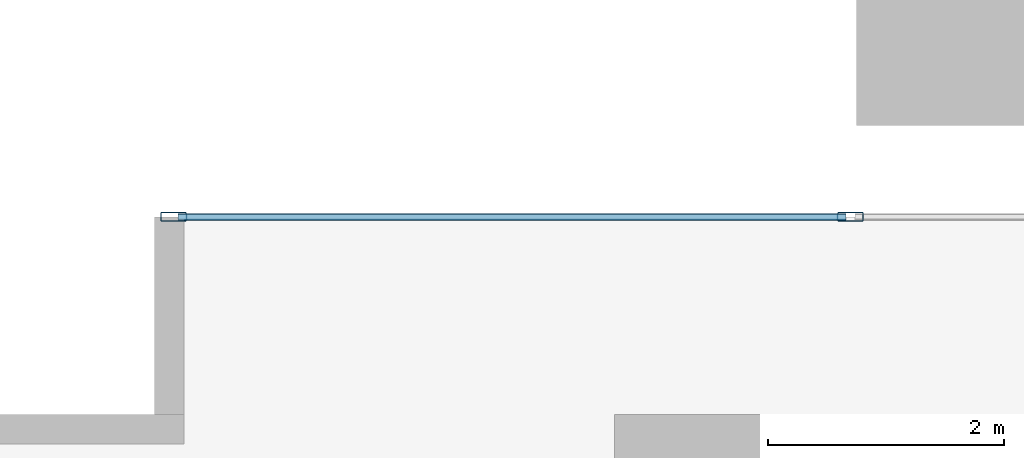
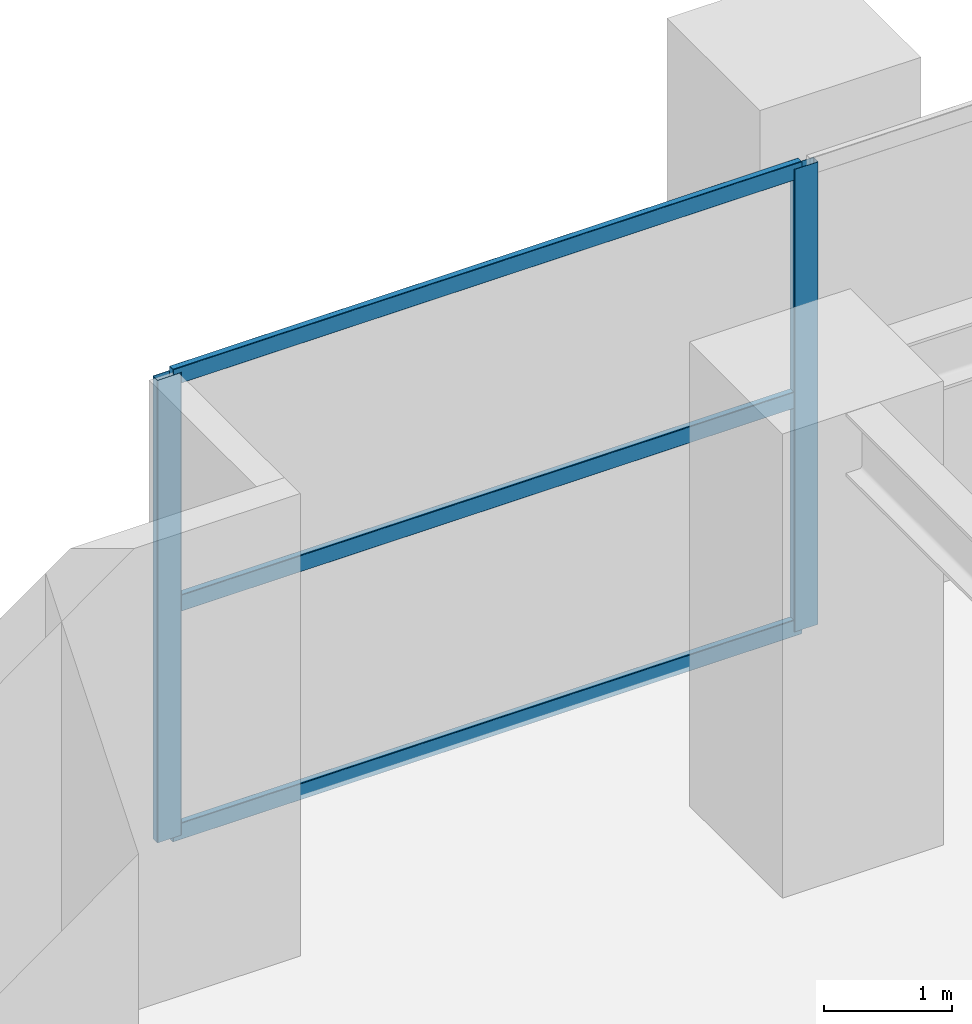
# One storey, part 6 of 20: 5 members, 1 element without a shape of its own.
"""IFC4 building model written with IfcOpenShell, lengths in metres."""

from ifc_helpers import new_model, si_unit, direction, frame, origin, origin_2d, place, context, subcontext, project, spatial, hollow_rectangle, extrude, source, transform, mapped, material, layer, layer_set, material_profile, profile_set, type_object, element, aggregate, save


model = new_model("IFC4")

# Units and contexts
model_context = context("Model", 3, precision=1e-05, world=origin(), true_north=direction((0.0, 1.0)))
body_context = subcontext(model_context, "Body", "Model", "MODEL_VIEW")
ifc_project = project(units=[si_unit("LENGTHUNIT", "METRE"), si_unit("AREAUNIT", "SQUARE_METRE"), si_unit("VOLUMEUNIT", "CUBIC_METRE"), si_unit("PLANEANGLEUNIT", "RADIAN"), si_unit("MASSUNIT", "GRAM", prefix="KILO")], contexts=[model_context])

# Site, building, storey
site_placement = place(None, origin())
site = spatial("IfcSite", under=ifc_project, at=site_placement, CompositionType="ELEMENT")
building_placement = place(site_placement, origin())
building = spatial("IfcBuilding", under=site, at=building_placement, Name="Serunith Strait Residences", CompositionType="ELEMENT")
storey_placement = place(building_placement, frame((0.0, 0.0, 10.5)))
storey = spatial("IfcBuildingStorey", under=building, at=storey_placement, Name="L02", CompositionType="ELEMENT", Elevation=10.5)

# Curtain wall, members
ifc_material = material(Name="Pale-Champagne Anodised Aluminium", Category="aluminium")
ifc_layer = layer(ifc_material, 0.199951171875, Name="Pale-Champagne Anodised Aluminium")
ifc_layer_set = layer_set([ifc_layer], Name="Pale-Champagne Anodised Aluminium")
curtain_wall_type = type_object("IfcCurtainWallType", Name="CW-SYS6", PredefinedType="NOTDEFINED", material=ifc_layer_set)
curtain_wall_placement = place(storey_placement, origin())
curtain_wall = element("IfcCurtainWall", 1, at=curtain_wall_placement, inside=storey, type_object=curtain_wall_type, Name="L02 Podium Galleria Curtain Wall 9B", PredefinedType="NOTDEFINED")
ifc_material_profile_1 = material_profile(ifc_material, hollow_rectangle(XDim=0.06005859375, YDim=0.159912109375, WallThickness=0.00341796875, InnerFilletRadius=0.00537109375, OuterFilletRadius=0.0087890625, at=origin_2d()), Name="ALU 160x60x3.5")
ifc_profile_set_1 = profile_set([ifc_material_profile_1], Name="Pale-Champagne Anodised Aluminium")
member_type_1 = type_object("IfcMemberType", Name="CW-SYS6-TRAN", PredefinedType="USERDEFINED", material=ifc_profile_set_1)
shared_shape_1 = source(origin(), body_context, "Body", "SweptSolid", [
    extrude(hollow_rectangle(XDim=0.06005859375, YDim=0.159912109375, WallThickness=0.00341796875, InnerFilletRadius=0.00537109375, OuterFilletRadius=0.0087890625, at=origin_2d()), origin(), (0.0, 0.0, 1.0), 5.662353515625),
])
member_1_placement = place(storey_placement, frame((13.83740234375, 48.0, 0.030029296875), z_axis=(-1.0, 0.0, 0.0), x_axis=(0.0, -1.0, 0.0)))
member_1 = element("IfcMember", 2, at=member_1_placement, type_object=member_type_1, Name="CW-6 transom 4.1", ObjectType="TRANSOM", PredefinedType="USERDEFINED", context=body_context, shape_type="MappedRepresentation", body=[
    mapped(shared_shape_1, transform((0.0, 0.0, 0.0), scale=1.0)),
])
member_2_placement = place(storey_placement, frame((13.83740234375, 48.0, 2.202392578125), z_axis=(-1.0, 0.0, 0.0), x_axis=(0.0, -1.0, 0.0)))
member_2 = element("IfcMember", 3, at=member_2_placement, type_object=member_type_1, Name="CW-6 transom 4.2", ObjectType="TRANSOM", PredefinedType="USERDEFINED", context=body_context, shape_type="MappedRepresentation", body=[
    mapped(shared_shape_1, transform((0.0, 0.0, 0.0), scale=1.0)),
])
member_3_placement = place(storey_placement, frame((13.83740234375, 48.0, 4.375), z_axis=(-1.0, 0.0, 0.0), x_axis=(0.0, -1.0, 0.0)))
member_3 = element("IfcMember", 4, at=member_3_placement, type_object=member_type_1, Name="CW-6 transom 4.3", ObjectType="TRANSOM", PredefinedType="USERDEFINED", context=body_context, shape_type="MappedRepresentation", body=[
    mapped(shared_shape_1, transform((0.0, 0.0, 0.0), scale=1.0)),
])
ifc_material_profile_2 = material_profile(ifc_material, hollow_rectangle(XDim=0.074951171875, YDim=0.219970703125, WallThickness=0.00390625, InnerFilletRadius=0.006103515625, OuterFilletRadius=0.010009765625, at=origin_2d()), Name="ALU 220x75x4")
ifc_profile_set_2 = profile_set([ifc_material_profile_2], Name="Pale-Champagne Anodised Aluminium")
member_type_2 = type_object("IfcMemberType", Name="CW-SYS6-MULL", PredefinedType="MULLION", material=ifc_profile_set_2)
shared_shape_2 = source(origin(), body_context, "Body", "SweptSolid", [
    extrude(hollow_rectangle(XDim=0.074951171875, YDim=0.219970703125, WallThickness=0.00390625, InnerFilletRadius=0.006103515625, OuterFilletRadius=0.010009765625, at=origin_2d()), origin(), (0.0, 0.0, 1.0), 4.405029296875),
])
member_4_placement = place(storey_placement, frame((13.875, 48.0, 0.0), z_axis=(0.0, 0.0, 1.0), x_axis=(0.0, -1.0, 0.0)))
member_4 = element("IfcMember", 5, at=member_4_placement, type_object=member_type_2, Name="CW-6 mullion 4", PredefinedType="MULLION", context=body_context, shape_type="MappedRepresentation", body=[
    mapped(shared_shape_2, transform((0.0, 0.0, 0.0), scale=1.0)),
])
member_5_placement = place(storey_placement, frame((8.137451171875, 48.0, 0.0), z_axis=(0.0, 0.0, 1.0), x_axis=(0.0, -1.0, 0.0)))
member_5 = element("IfcMember", 6, at=member_5_placement, type_object=member_type_2, Name="CW-6 mullion 5", PredefinedType="MULLION", context=body_context, shape_type="MappedRepresentation", body=[
    mapped(shared_shape_2, transform((0.0, 0.0, 0.0), scale=1.0)),
])
aggregate(curtain_wall, [member_4, member_5, member_1, member_2, member_3])

save(model, "model.ifc")
